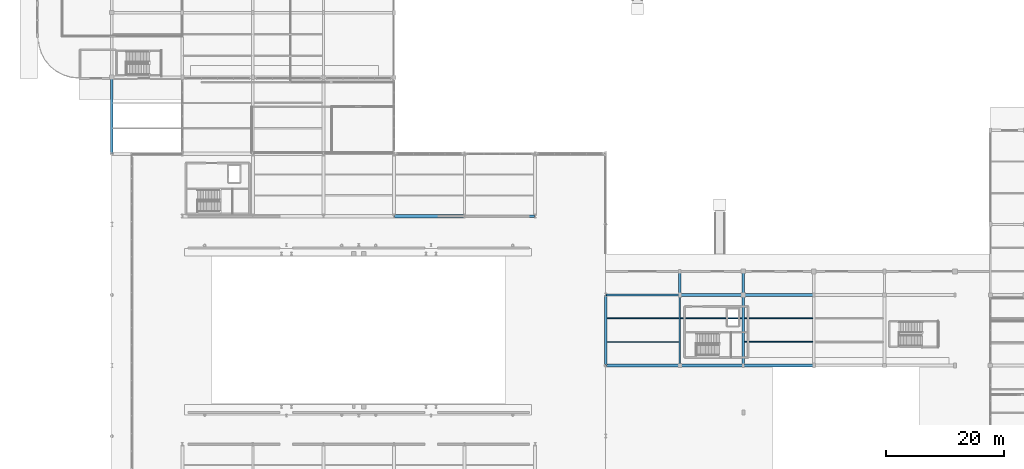
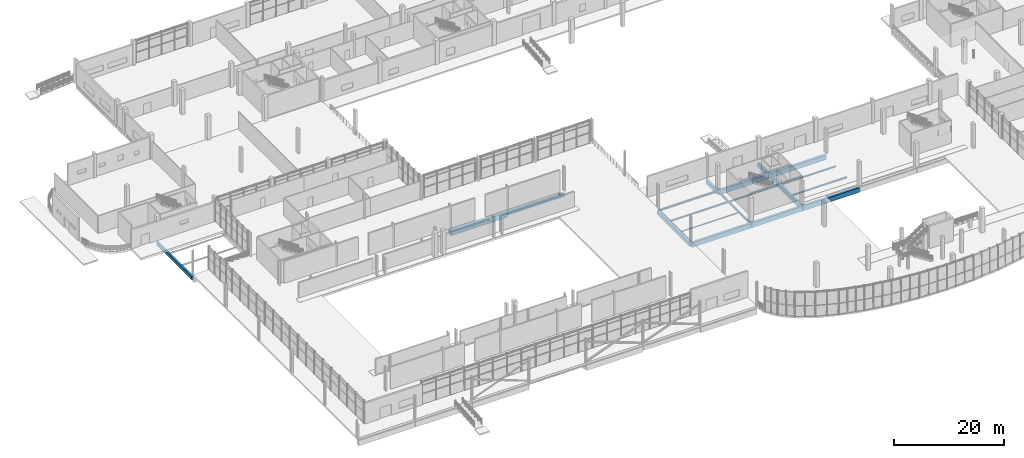
# One storey, part 23 of 85: 19 beams.
"""IFC4 building model written with IfcOpenShell, lengths in metres."""

from ifc_helpers import new_model, si_unit, direction, frame, origin, origin_2d, place, context, subcontext, project, spatial, rectangle, i_section, extrude, material, material_profile, profile_set, type_object, element, save


model = new_model("IFC4")

# Units and contexts
model_context = context("Model", 3, precision=1e-05, world=origin(), true_north=direction((0.0, 1.0)))
body_context = subcontext(model_context, "Body", "Model", "MODEL_VIEW")
ifc_project = project(units=[si_unit("LENGTHUNIT", "METRE"), si_unit("AREAUNIT", "SQUARE_METRE"), si_unit("VOLUMEUNIT", "CUBIC_METRE"), si_unit("PLANEANGLEUNIT", "RADIAN"), si_unit("MASSUNIT", "GRAM", prefix="KILO"), si_unit("THERMODYNAMICTEMPERATUREUNIT", "KELVIN"), si_unit("POWERUNIT", "WATT")], contexts=[model_context])

# Site, building, storey
site_placement = place(None, origin())
site = spatial("IfcSite", under=ifc_project, at=site_placement, CompositionType="ELEMENT")
building_placement = place(site_placement, origin())
building = spatial("IfcBuilding", under=site, at=building_placement, Name="Solmara Park Aquatics Centre", CompositionType="ELEMENT")
storey_placement = place(building_placement, origin())
storey = spatial("IfcBuildingStorey", under=building, at=storey_placement, Name="L00", CompositionType="ELEMENT", Elevation=0.0)

# Beams
ifc_material_1 = material(Name="Structural Steel S355", Category="steel")
ifc_material_profile_1 = material_profile(ifc_material_1, i_section(OverallWidth=0.300048828125, OverallDepth=0.389892578125, WebThickness=0.010986328125, FlangeThickness=0.01904296875, FilletRadius=0.027099609375, at=origin_2d()), Name="HEA 400")
ifc_profile_set_1 = profile_set([ifc_material_profile_1], Name="Structural Steel S355")
beam_type_1 = type_object("IfcBeamType", Name="STR-BM-HEA400", PredefinedType="BEAM", material=ifc_profile_set_1)
beam_1_placement = place(storey_placement, frame((96.679931640625, 48.60009765625, -0.614990234375), z_axis=(1.0, 0.0, 0.0), x_axis=(0.0, 1.0, 0.0)))
element("IfcBeam", 1, at=beam_1_placement, inside=storey, type_object=beam_type_1, Name="Girder BM-L00-0036", PredefinedType="BEAM", context=body_context, shape_type="SweptSolid", body=[
    extrude(i_section(OverallWidth=0.300048828125, OverallDepth=0.389892578125, WebThickness=0.010986328125, FlangeThickness=0.01904296875, FilletRadius=0.027099609375, at=origin_2d()), origin(), (0.0, 0.0, 1.0), 12.440185546875),
])
beam_2_placement = place(storey_placement, frame((109.199951171875, 36.679931640625, -0.614990234375), z_axis=(0.0, 1.0, 0.0), x_axis=(-1.0, 0.0, 0.0)))
element("IfcBeam", 2, at=beam_2_placement, inside=storey, type_object=beam_type_1, Name="Girder BM-L00-0042", PredefinedType="BEAM", context=body_context, shape_type="SweptSolid", body=[
    extrude(i_section(OverallWidth=0.300048828125, OverallDepth=0.389892578125, WebThickness=0.010986328125, FlangeThickness=0.01904296875, FilletRadius=0.027099609375, at=origin_2d()), origin(), (0.0, 0.0, 1.0), 11.840087890625),
])
ifc_material_2 = material(Name="Concrete C40/50", Category="concrete")
ifc_material_profile_2 = material_profile(ifc_material_2, rectangle(XDim=0.39990234375, YDim=0.75, at=origin_2d()), Name="RC 400x750")
ifc_profile_set_2 = profile_set([ifc_material_profile_2], Name="Concrete C40/50")
beam_type_2 = type_object("IfcBeamType", Name="STR-BM-RC400x750", PredefinedType="BEAM", material=ifc_profile_set_2)
beam_3_placement = place(storey_placement, frame((12.60009765625, 72.679931640625, -0.794921875), z_axis=(0.0, 1.0, 0.0), x_axis=(-1.0, 0.0, 0.0)))
element("IfcBeam", 3, at=beam_3_placement, inside=storey, type_object=beam_type_2, Name="Girder BM-L00-0110", PredefinedType="BEAM", context=body_context, shape_type="SweptSolid", body=[
    extrude(rectangle(XDim=0.39990234375, YDim=0.75, at=origin_2d()), origin(), (0.0, 0.0, 1.0), 12.840087890625),
])
ifc_material_profile_3 = material_profile(ifc_material_2, rectangle(XDim=0.449951171875, YDim=0.800048828125, at=origin_2d()), Name="RC 450x800")
ifc_profile_set_3 = profile_set([ifc_material_profile_3], Name="Concrete C40/50")
beam_type_3 = type_object("IfcBeamType", Name="STR-BM-RC450x800", PredefinedType="BEAM", material=ifc_profile_set_3)
beam_4_placement = place(storey_placement, frame((72.679931640625, 62.0, -0.820068359375), z_axis=(1.0, 0.0, 0.0), x_axis=(0.0, 1.0, 0.0)))
element("IfcBeam", 4, at=beam_4_placement, inside=storey, type_object=beam_type_3, Name="Girder BM-L00-0012", PredefinedType="BEAM", context=body_context, shape_type="SweptSolid", body=[
    extrude(rectangle(XDim=0.449951171875, YDim=0.800048828125, at=origin_2d()), origin(), (0.0, 0.0, 1.0), 11.840087890625),
])
ifc_material_profile_4 = material_profile(ifc_material_2, rectangle(XDim=0.449951171875, YDim=0.89990234375, at=origin_2d()), Name="RC 450x900")
ifc_profile_set_4 = profile_set([ifc_material_profile_4], Name="Concrete C40/50")
beam_type_4 = type_object("IfcBeamType", Name="STR-BM-RC450x900", PredefinedType="BEAM", material=ifc_profile_set_4)
beam_5_placement = place(storey_placement, frame((96.60009765625, 36.679931640625, -0.8701171875), z_axis=(0.0, 1.0, 0.0), x_axis=(-1.0, 0.0, 0.0)))
element("IfcBeam", 5, at=beam_5_placement, inside=storey, type_object=beam_type_4, Name="Girder BM-L00-0041", PredefinedType="BEAM", context=body_context, shape_type="SweptSolid", body=[
    extrude(rectangle(XDim=0.449951171875, YDim=0.89990234375, at=origin_2d()), origin(), (0.0, 0.0, 1.0), 11.840087890625),
])
beam_6_placement = place(storey_placement, frame((109.199951171875, 48.679931640625, -0.8701171875), z_axis=(0.0, 1.0, 0.0), x_axis=(-1.0, 0.0, 0.0)))
element("IfcBeam", 6, at=beam_6_placement, inside=storey, type_object=beam_type_4, Name="Girder BM-L00-0043", PredefinedType="BEAM", context=body_context, shape_type="SweptSolid", body=[
    extrude(rectangle(XDim=0.449951171875, YDim=0.89990234375, at=origin_2d()), origin(), (0.0, 0.0, 1.0), 3.840087890625),
])
beam_7_placement = place(storey_placement, frame((120.0, 36.679931640625, -0.8701171875), z_axis=(0.0, 1.0, 0.0), x_axis=(-1.0, 0.0, 0.0)))
element("IfcBeam", 7, at=beam_7_placement, inside=storey, type_object=beam_type_4, Name="Girder BM-L00-0044", PredefinedType="BEAM", context=body_context, shape_type="SweptSolid", body=[
    extrude(rectangle(XDim=0.449951171875, YDim=0.89990234375, at=origin_2d()), origin(), (0.0, 0.0, 1.0), 11.840087890625),
])
beam_8_placement = place(storey_placement, frame((120.0, 48.679931640625, -0.8701171875), z_axis=(0.0, 1.0, 0.0), x_axis=(-1.0, 0.0, 0.0)))
element("IfcBeam", 8, at=beam_8_placement, inside=storey, type_object=beam_type_4, Name="Girder BM-L00-0045", PredefinedType="BEAM", context=body_context, shape_type="SweptSolid", body=[
    extrude(rectangle(XDim=0.449951171875, YDim=0.89990234375, at=origin_2d()), origin(), (0.0, 0.0, 1.0), 3.840087890625),
])
ifc_material_profile_5 = material_profile(ifc_material_2, rectangle(XDim=0.5, YDim=1.050048828125, at=origin_2d()), Name="RC 500x1050")
ifc_profile_set_5 = profile_set([ifc_material_profile_5], Name="Concrete C40/50")
beam_type_5 = type_object("IfcBeamType", Name="STR-BM-RC500x1050", PredefinedType="BEAM", material=ifc_profile_set_5)
beam_9_placement = place(storey_placement, frame((96.679931640625, 36.60009765625, -0.945068359375), z_axis=(1.0, 0.0, 0.0), x_axis=(0.0, 1.0, 0.0)))
element("IfcBeam", 9, at=beam_9_placement, inside=storey, type_object=beam_type_5, Name="Girder BM-L00-0031", PredefinedType="BEAM", context=body_context, shape_type="SweptSolid", body=[
    extrude(rectangle(XDim=0.5, YDim=1.050048828125, at=origin_2d()), origin(), (0.0, 0.0, 1.0), 12.440185546875),
])
beam_10_placement = place(storey_placement, frame((109.280029296875, 36.60009765625, -0.945068359375), z_axis=(1.0, 0.0, 0.0), x_axis=(0.0, 1.0, 0.0)))
element("IfcBeam", 10, at=beam_10_placement, inside=storey, type_object=beam_type_5, Name="Girder BM-L00-0032", PredefinedType="BEAM", context=body_context, shape_type="SweptSolid", body=[
    extrude(rectangle(XDim=0.5, YDim=1.050048828125, at=origin_2d()), origin(), (0.0, 0.0, 1.0), 10.639892578125),
])
beam_11_placement = place(storey_placement, frame((120.080078125, 36.60009765625, -0.945068359375), z_axis=(1.0, 0.0, 0.0), x_axis=(0.0, 1.0, 0.0)))
element("IfcBeam", 11, at=beam_11_placement, inside=storey, type_object=beam_type_5, Name="Girder BM-L00-0033", PredefinedType="BEAM", context=body_context, shape_type="SweptSolid", body=[
    extrude(rectangle(XDim=0.5, YDim=1.050048828125, at=origin_2d()), origin(), (0.0, 0.0, 1.0), 11.83984375),
])
beam_12_placement = place(storey_placement, frame((109.280029296875, 48.60009765625, -0.945068359375), z_axis=(1.0, 0.0, 0.0), x_axis=(0.0, 1.0, 0.0)))
element("IfcBeam", 12, at=beam_12_placement, inside=storey, type_object=beam_type_5, Name="Girder BM-L00-0037", PredefinedType="BEAM", context=body_context, shape_type="SweptSolid", body=[
    extrude(rectangle(XDim=0.5, YDim=1.050048828125, at=origin_2d()), origin(), (0.0, 0.0, 1.0), 10.639892578125),
])
beam_13_placement = place(storey_placement, frame((120.080078125, 48.60009765625, -0.945068359375), z_axis=(1.0, 0.0, 0.0), x_axis=(0.0, 1.0, 0.0)))
element("IfcBeam", 13, at=beam_13_placement, inside=storey, type_object=beam_type_5, Name="Girder BM-L00-0038", PredefinedType="BEAM", context=body_context, shape_type="SweptSolid", body=[
    extrude(rectangle(XDim=0.5, YDim=1.050048828125, at=origin_2d()), origin(), (0.0, 0.0, 1.0), 11.83984375),
])
ifc_material_profile_6 = material_profile(ifc_material_2, rectangle(XDim=0.550048828125, YDim=1.199951171875, at=origin_2d()), Name="RC 550x1200")
ifc_profile_set_6 = profile_set([ifc_material_profile_6], Name="Concrete C40/50")
beam_type_6 = type_object("IfcBeamType", Name="STR-BM-RC550x1200", PredefinedType="BEAM", material=ifc_profile_set_6)
beam_14_placement = place(storey_placement, frame((60.679931640625, 62.0, -1.02001953125), z_axis=(1.0, 0.0, 0.0), x_axis=(0.0, 1.0, 0.0)))
element("IfcBeam", 14, at=beam_14_placement, inside=storey, type_object=beam_type_6, Name="Girder BM-L00-0011", PredefinedType="BEAM", context=body_context, shape_type="SweptSolid", body=[
    extrude(rectangle(XDim=0.550048828125, YDim=1.199951171875, at=origin_2d()), origin(), (0.0, 0.0, 1.0), 11.840087890625),
])
ifc_material_profile_7 = material_profile(ifc_material_1, i_section(OverallWidth=0.199951171875, OverallDepth=0.18994140625, WebThickness=0.006591796875, FlangeThickness=0.010009765625, FilletRadius=0.01806640625, at=origin_2d()), Name="HEA 200")
ifc_profile_set_7 = profile_set([ifc_material_profile_7], Name="Structural Steel S355")
beam_type_7 = type_object("IfcBeamType", Name="STR-JST-HEA200", PredefinedType="JOIST", material=ifc_profile_set_7)
beam_15_placement = place(storey_placement, frame((96.824951171875, 40.60009765625, -0.514892578125), z_axis=(1.0, 0.0, 0.0), x_axis=(0.0, 1.0, 0.0)))
element("IfcBeam", 15, at=beam_15_placement, inside=storey, type_object=beam_type_7, Name="Floor Joist JST-L00-0019", PredefinedType="JOIST", context=body_context, shape_type="SweptSolid", body=[
    extrude(i_section(OverallWidth=0.199951171875, OverallDepth=0.18994140625, WebThickness=0.006591796875, FlangeThickness=0.010009765625, FilletRadius=0.01806640625, at=origin_2d()), origin(), (0.0, 0.0, 1.0), 12.22509765625),
])
ifc_material_profile_8 = material_profile(ifc_material_1, i_section(OverallWidth=0.169921875, OverallDepth=0.360107421875, WebThickness=0.008056640625, FlangeThickness=0.0126953125, FilletRadius=0.01806640625, at=origin_2d()), Name="IPE 360")
ifc_profile_set_8 = profile_set([ifc_material_profile_8], Name="Structural Steel S355")
beam_type_8 = type_object("IfcBeamType", Name="STR-JST-IPE360", PredefinedType="JOIST", material=ifc_profile_set_8)
beam_16_placement = place(storey_placement, frame((96.824951171875, 44.60009765625, -0.60009765625), z_axis=(1.0, 0.0, 0.0), x_axis=(0.0, 1.0, 0.0)))
element("IfcBeam", 16, at=beam_16_placement, inside=storey, type_object=beam_type_8, Name="Floor Joist JST-L00-0020", PredefinedType="JOIST", context=body_context, shape_type="SweptSolid", body=[
    extrude(i_section(OverallWidth=0.169921875, OverallDepth=0.360107421875, WebThickness=0.008056640625, FlangeThickness=0.0126953125, FilletRadius=0.01806640625, at=origin_2d()), origin(), (0.0, 0.0, 1.0), 12.22509765625),
])
beam_17_placement = place(storey_placement, frame((109.35009765625, 44.60009765625, -0.60009765625), z_axis=(1.0, 0.0, 0.0), x_axis=(0.0, 1.0, 0.0)))
element("IfcBeam", 17, at=beam_17_placement, inside=storey, type_object=beam_type_8, Name="Floor Joist JST-L00-0021", PredefinedType="JOIST", context=body_context, shape_type="SweptSolid", body=[
    extrude(i_section(OverallWidth=0.169921875, OverallDepth=0.360107421875, WebThickness=0.008056640625, FlangeThickness=0.0126953125, FilletRadius=0.01806640625, at=origin_2d()), origin(), (0.0, 0.0, 1.0), 10.4248046875),
])
for number, where, z_axis, x_axis, name in (
    (18, (120.22509765625, 40.60009765625, -0.60009765625), (1.0, 0.0, 0.0), (0.0, 1.0, 0.0), "Floor Joist JST-L00-0022"),
    (19, (120.22509765625, 44.60009765625, -0.60009765625), (1.0, 0.0, 0.0), (0.0, 1.0, 0.0), "Floor Joist JST-L00-0023"),
):
    element("IfcBeam", number, at=place(storey_placement, frame(where, z_axis=z_axis, x_axis=x_axis)), inside=storey, type_object=beam_type_8, Name=name, PredefinedType="JOIST", context=body_context, shape_type="SweptSolid", body=[
        extrude(i_section(OverallWidth=0.169921875, OverallDepth=0.360107421875, WebThickness=0.008056640625, FlangeThickness=0.0126953125, FilletRadius=0.01806640625, at=origin_2d()), origin(), (0.0, 0.0, 1.0), 11.5498046875),
    ])

save(model, "model.ifc")
